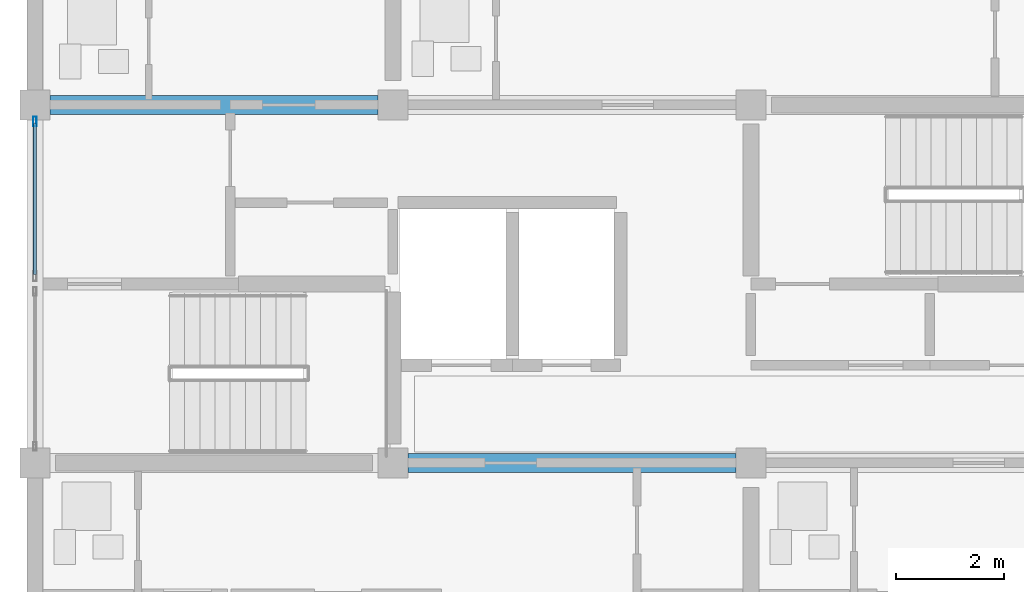
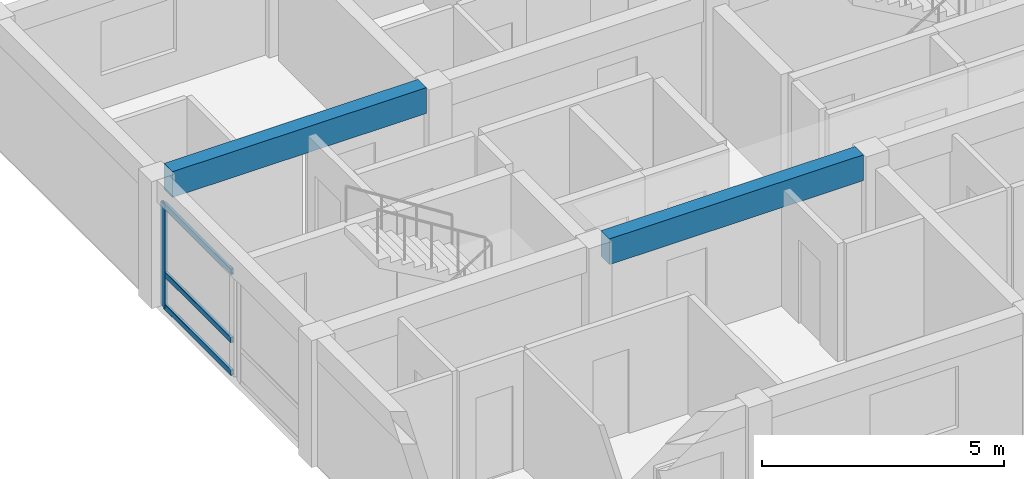
# One storey, part 14 of 46: 4 members, 2 beams, 1 element without a shape of its own.
"""IFC4 building model written with IfcOpenShell, lengths in metres."""

from ifc_helpers import new_model, si_unit, direction, frame, origin, origin_2d, place, context, subcontext, project, spatial, rectangle, hollow_rectangle, extrude, material, material_profile, profile_set, type_object, element, aggregate, save


model = new_model("IFC4")

# Units and contexts
model_context = context("Model", 3, precision=1e-05, world=origin(), true_north=direction((0.0, 1.0)))
body_context = subcontext(model_context, "Body", "Model", "MODEL_VIEW")
ifc_project = project(units=[si_unit("LENGTHUNIT", "METRE"), si_unit("AREAUNIT", "SQUARE_METRE"), si_unit("VOLUMEUNIT", "CUBIC_METRE"), si_unit("PLANEANGLEUNIT", "RADIAN"), si_unit("MASSUNIT", "GRAM", prefix="KILO")], contexts=[model_context])

# Site, building, storey
site_placement = place(None, origin())
site = spatial("IfcSite", under=ifc_project, at=site_placement, CompositionType="ELEMENT")
building_placement = place(site_placement, origin())
building = spatial("IfcBuilding", under=site, at=building_placement, Name="Kernevlak Ridge Housing Community", CompositionType="ELEMENT")
storey_placement = place(building_placement, frame((0.0, 0.0, 27.60009765625)))
storey = spatial("IfcBuildingStorey", under=building, at=storey_placement, Name="L08", CompositionType="ELEMENT", Elevation=27.60009765625)

# Beams
ifc_material_1 = material(Name="Concrete C35/45", Category="concrete")
ifc_material_profile_1 = material_profile(ifc_material_1, rectangle(XDim=0.35009765625, YDim=0.64990234375, at=origin_2d()), Name="RC 350x650")
ifc_profile_set_1 = profile_set([ifc_material_profile_1], Name="Concrete C35/45")
beam_type = type_object("IfcBeamType", Name="B-02", PredefinedType="BEAM", material=ifc_profile_set_1)
beam_1_placement = place(storey_placement, frame((22.47509765625, 82.60009765625, 2.875), z_axis=(1.0, 0.0, 0.0), x_axis=(0.0, 1.0, 0.0)))
element("IfcBeam", 1, at=beam_1_placement, inside=storey, type_object=beam_type, Name="Beam B-02 L08 271", PredefinedType="BEAM", context=body_context, shape_type="SweptSolid", body=[
    extrude(rectangle(XDim=0.35009765625, YDim=0.64990234375, at=origin_2d()), origin(), (0.0, 0.0, 1.0), 6.0498046875),
])
beam_2_placement = place(storey_placement, frame((15.875, 89.199951171875, 2.875), z_axis=(1.0, 0.0, 0.0), x_axis=(0.0, 1.0, 0.0)))
element("IfcBeam", 2, at=beam_2_placement, inside=storey, type_object=beam_type, Name="Beam B-02 L08 275", PredefinedType="BEAM", context=body_context, shape_type="SweptSolid", body=[
    extrude(rectangle(XDim=0.35009765625, YDim=0.64990234375, at=origin_2d()), origin(), (0.0, 0.0, 1.0), 6.050048828125),
])

# Curtain wall, members
ifc_material_2 = material(Name="Aluminium EN AW-6060 anodised and laminated glass", Category="aluminium")
curtain_wall_type = type_object("IfcCurtainWallType", Name="CW-06", PredefinedType="NOTDEFINED", material=ifc_material_2)
curtain_wall_placement = place(storey_placement, origin())
curtain_wall = element("IfcCurtainWall", 3, at=curtain_wall_placement, inside=storey, type_object=curtain_wall_type, Name="Curtain wall CW-06 CW-L08-026", PredefinedType="NOTDEFINED")
ifc_material_3 = material(Name="Aluminium EN AW-6060 anodised", Category="aluminium")
ifc_material_profile_2 = material_profile(ifc_material_3, hollow_rectangle(XDim=0.06494140625, YDim=0.179931640625, WallThickness=0.00439453125, InnerFilletRadius=0.001953125, OuterFilletRadius=0.00439453125, at=origin_2d()), Name="ALU 65x180x4.5")
ifc_profile_set_2 = profile_set([ifc_material_profile_2], Name="Aluminium EN AW-6060 anodised")
member_type_1 = type_object("IfcMemberType", Name="MU-03", PredefinedType="MULLION", material=ifc_profile_set_2)
member_1_placement = place(storey_placement, frame((15.60009765625, 88.892578125, 0.0), z_axis=(0.0, 0.0, 1.0), x_axis=(-1.0, 0.0, 0.0)))
member_1 = element("IfcMember", 4, at=member_1_placement, type_object=member_type_1, Name="CW-06 mullion 2", PredefinedType="MULLION", context=body_context, shape_type="SweptSolid", body=[
    extrude(hollow_rectangle(XDim=0.06494140625, YDim=0.179931640625, WallThickness=0.00439453125, InnerFilletRadius=0.001953125, OuterFilletRadius=0.00439453125, at=origin_2d()), origin(), (0.0, 0.0, 1.0), 2.599853515625),
])
ifc_material_profile_3 = material_profile(ifc_material_3, hollow_rectangle(XDim=0.06494140625, YDim=0.139892578125, WallThickness=0.00390625, InnerFilletRadius=0.001953125, OuterFilletRadius=0.00390625, at=origin_2d()), Name="ALU 65x140x4")
ifc_profile_set_3 = profile_set([ifc_material_profile_3], Name="Aluminium EN AW-6060 anodised")
member_type_2 = type_object("IfcMemberType", Name="TM-03", PredefinedType="USERDEFINED", material=ifc_profile_set_3)
member_2_placement = place(storey_placement, frame((15.60009765625, 86.074951171875, 0.032470703125), z_axis=(0.0, 1.0, 0.0), x_axis=(-1.0, 0.0, 0.0)))
member_2 = element("IfcMember", 5, at=member_2_placement, type_object=member_type_2, Name="CW-06 transom 1.1", ObjectType="TRANSOM", PredefinedType="USERDEFINED", context=body_context, shape_type="SweptSolid", body=[
    extrude(hollow_rectangle(XDim=0.06494140625, YDim=0.139892578125, WallThickness=0.00390625, InnerFilletRadius=0.001953125, OuterFilletRadius=0.00390625, at=origin_2d()), origin(), (0.0, 0.0, 1.0), 2.78515625),
])
member_3_placement = place(storey_placement, frame((15.60009765625, 86.074951171875, 0.849853515625), z_axis=(0.0, 1.0, 0.0), x_axis=(-1.0, 0.0, 0.0)))
member_3 = element("IfcMember", 6, at=member_3_placement, type_object=member_type_2, Name="CW-06 transom 1.2", ObjectType="TRANSOM", PredefinedType="USERDEFINED", context=body_context, shape_type="SweptSolid", body=[
    extrude(hollow_rectangle(XDim=0.06494140625, YDim=0.139892578125, WallThickness=0.00390625, InnerFilletRadius=0.001953125, OuterFilletRadius=0.00390625, at=origin_2d()), origin(), (0.0, 0.0, 1.0), 2.78515625),
])
member_4_placement = place(storey_placement, frame((15.60009765625, 86.074951171875, 2.5673828125), z_axis=(0.0, 1.0, 0.0), x_axis=(-1.0, 0.0, 0.0)))
member_4 = element("IfcMember", 7, at=member_4_placement, type_object=member_type_2, Name="CW-06 transom 1.3", ObjectType="TRANSOM", PredefinedType="USERDEFINED", context=body_context, shape_type="SweptSolid", body=[
    extrude(hollow_rectangle(XDim=0.06494140625, YDim=0.139892578125, WallThickness=0.00390625, InnerFilletRadius=0.001953125, OuterFilletRadius=0.00390625, at=origin_2d()), origin(), (0.0, 0.0, 1.0), 2.78515625),
])
aggregate(curtain_wall, [member_1, member_2, member_3, member_4])

save(model, "model.ifc")
